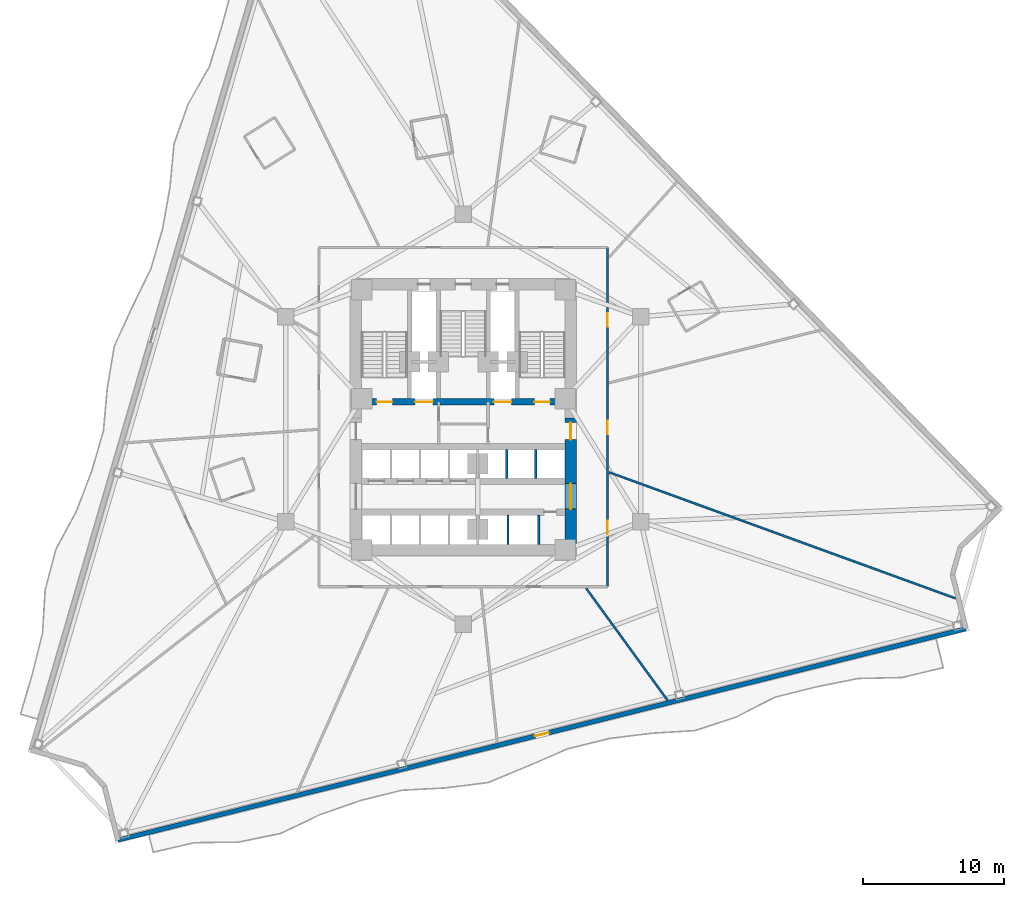
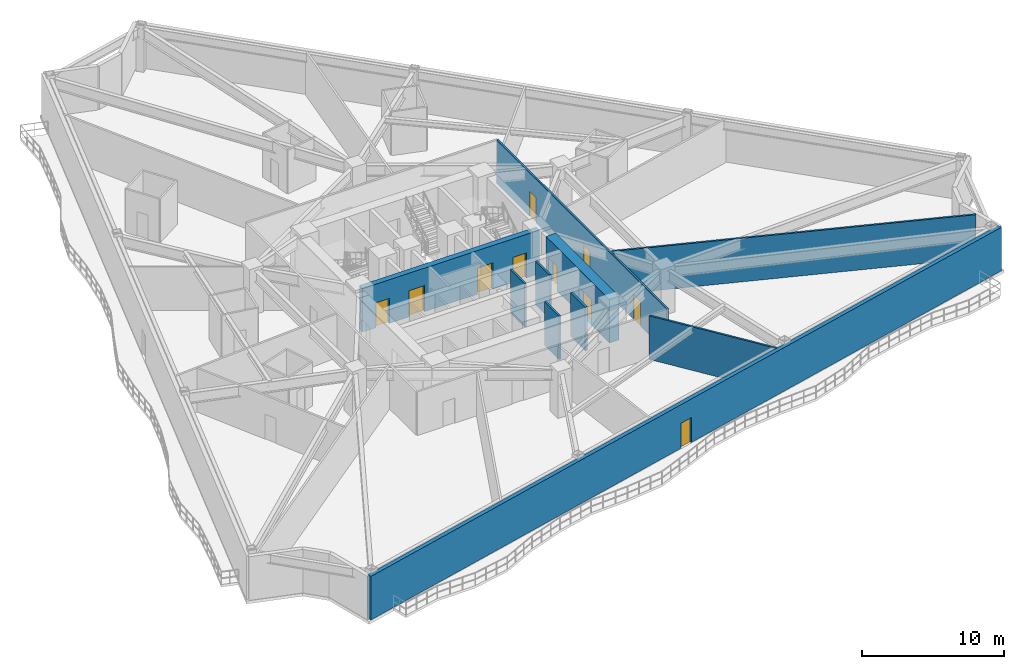
# One storey, part 4 of 9: 10 doors, 10 walls, 10 openings.
"""IFC4 building model written with IfcOpenShell, lengths in metres."""

from ifc_helpers import new_model, si_unit, direction, frame, frame_2d, origin, place, context, subcontext, project, spatial, rectangle, extrude, material, layer, layer_set, type_object, element, fill, save


model = new_model("IFC4")

# Units and contexts
model_context = context("Model", 3, precision=1e-05, world=origin(), true_north=direction((0.0, 1.0)))
body_context = subcontext(model_context, "Body", "Model", "MODEL_VIEW")
ifc_project = project(units=[si_unit("LENGTHUNIT", "METRE"), si_unit("AREAUNIT", "SQUARE_METRE"), si_unit("VOLUMEUNIT", "CUBIC_METRE"), si_unit("PLANEANGLEUNIT", "RADIAN"), si_unit("MASSUNIT", "GRAM", prefix="KILO")], contexts=[model_context])

# Site, building, storey
site_placement = place(None, origin())
site = spatial("IfcSite", under=ifc_project, at=site_placement, CompositionType="ELEMENT")
building_placement = place(site_placement, origin())
building = spatial("IfcBuilding", under=site, at=building_placement, Name="Apsidion Concourse Tower", CompositionType="ELEMENT")
storey_placement = place(building_placement, frame((0.0, 0.0, 119.0)))
storey = spatial("IfcBuildingStorey", under=building, at=storey_placement, Name="L27", CompositionType="ELEMENT", Elevation=119.0)

# Wall, opening, door
ifc_material_1 = material(Name="Precast concrete C40/50", Category="concrete")
ifc_layer_1 = layer(ifc_material_1, 0.320068359375)
ifc_layer_set_1 = layer_set([ifc_layer_1], Name="Precast concrete C40/50")
wall_type_1 = type_object("IfcWallType", Name="WL-EXT-320", PredefinedType="STANDARD", material=ifc_layer_set_1)
wall_1_placement = place(storey_placement, frame((35.546142578125, -14.818359375, 0.0), z_axis=(0.0, 0.0, 1.0), x_axis=(-0.970295883146, -0.241921266428, 0.0)))
wall_1 = element("IfcWall", 1, at=wall_1_placement, inside=storey, type_object=wall_type_1, Name="L27 Precast Stone Facade Wall 05", PredefinedType="STANDARD", context=body_context, shape_type="SweptSolid", body=[
    extrude(rectangle(XDim=61.810791015625, YDim=0.320068359375, at=frame_2d((30.9052734375, 0.0))), origin(), (0.0, 0.0, 1.0), 3.75),
])
opening_1_placement = place(wall_1_placement, frame((30.405517578125, 0.0, 0.0)))
opening_1 = element("IfcOpeningElement", 2, at=opening_1_placement, cuts=wall_1, Name="Opening D-T1L", PredefinedType="OPENING", context=body_context, shape_type="SweptSolid", body=[
    extrude(rectangle(XDim=1.0, YDim=2.14990234375, at=frame_2d((0.5, 1.074951171875))), frame((0.0, 0.169921875, 0.0), z_axis=(0.0, -1.0, 0.0), x_axis=(1.0, 0.0, 0.0)), (0.0, 0.0, 1.0), 0.340087890625),
])
ifc_material_2 = material(Name="Anodised aluminium EN AW-6063 T6", Category="aluminium")
door_type_1 = type_object("IfcDoorType", Name="DR-TER-1022L", OperationType="SINGLE_SWING_LEFT", PredefinedType="DOOR", material=ifc_material_2)
door_1_placement = place(opening_1_placement, origin())
door_1 = element("IfcDoor", 3, at=door_1_placement, inside=storey, type_object=door_type_1, Name="L27 Balcony Access Door 2", OperationType="SINGLE_SWING_LEFT", OverallHeight=2.14990234375, OverallWidth=1.0, PredefinedType="DOOR", context=body_context, shape_type="SweptSolid", body=[
    extrude(rectangle(XDim=1.0, YDim=2.14990234375, at=frame_2d((0.5, 1.074951171875))), frame((0.0, 0.02490234375, 0.0), z_axis=(0.0, -1.0, 0.0), x_axis=(1.0, 0.0, 0.0)), (0.0, 0.0, 1.0), 0.050048828125),
])
fill(opening_1, door_1)

# Walls
ifc_material_3 = material(Name="Gypsum plasterboard partition")
ifc_layer_2 = layer(ifc_material_3, 0.14990234375)
ifc_layer_set_2 = layer_set([ifc_layer_2], Name="Gypsum plasterboard partition")
wall_type_2 = type_object("IfcWallType", Name="WL-INT-PAR-150", PredefinedType="PARTITIONING", material=ifc_layer_set_2)
for number, where, z_axis, x_axis, name in (
    (4, (3.074951171875, -4.179931640625, 0.0), (0.0, 0.0, 1.0), (0.0, 1.0, 0.0), "L27 Interior Partition WL-L27-B3DIV-1"),
    (5, (5.125, -4.179931640625, 0.0), (0.0, 0.0, 1.0), (0.0, 1.0, 0.0), "L27 Interior Partition WL-L27-B3DIV-2"),
):
    element("IfcWall", number, at=place(storey_placement, frame(where, z_axis=z_axis, x_axis=x_axis)), inside=storey, type_object=wall_type_2, Name=name, PredefinedType="PARTITIONING", context=body_context, shape_type="SweptSolid", body=[
        extrude(rectangle(XDim=2.030029296875, YDim=0.14990234375, at=frame_2d((1.01513671875, 0.0))), origin(), (0.0, 0.0, 1.0), 3.75),
    ])
wall_2_placement = place(storey_placement, frame((3.175048828125, -8.85009765625, 0.0), z_axis=(0.0, 0.0, 1.0), x_axis=(0.0, 1.0, 0.0)))
element("IfcWall", 6, at=wall_2_placement, inside=storey, type_object=wall_type_2, Name="L27 Interior Partition WL-L27-SHDIV-1", PredefinedType="PARTITIONING", context=body_context, shape_type="SweptSolid", body=[
    extrude(rectangle(XDim=2.080078125, YDim=0.14990234375, at=frame_2d((1.0400390625, 0.0))), origin(), (0.0, 0.0, 1.0), 3.75),
])

# Wall, openings, doors
wall_3_placement = place(storey_placement, frame((10.199951171875, 12.14990234375, 0.0), z_axis=(0.0, 0.0, 1.0), x_axis=(0.0, -1.0, 0.0)))
wall_3 = element("IfcWall", 7, at=wall_3_placement, inside=storey, type_object=wall_type_2, Name="L27 Interior Partition WL-L27-CORR-02", PredefinedType="PARTITIONING", context=body_context, shape_type="SweptSolid", body=[
    extrude(rectangle(XDim=24.0, YDim=0.14990234375, at=frame_2d((12.0, 0.0))), origin(), (0.0, 0.0, 1.0), 3.75),
])
opening_2_placement = place(wall_3_placement, frame((19.3466796875, 0.0, 0.0)))
opening_2 = element("IfcOpeningElement", 8, at=opening_2_placement, cuts=wall_3, Name="Opening D-01L", PredefinedType="OPENING", context=body_context, shape_type="SweptSolid", body=[
    extrude(rectangle(XDim=0.949951171875, YDim=2.14990234375, at=frame_2d((0.47509765625, 1.074951171875))), frame((0.0, 0.0849609375, 0.0), z_axis=(0.0, -1.0, 0.0), x_axis=(1.0, 0.0, 0.0)), (0.0, 0.0, 1.0), 0.169921875),
])
opening_3_placement = place(wall_3_placement, frame((12.26416015625, 0.0, 0.0)))
opening_3 = element("IfcOpeningElement", 9, at=opening_3_placement, cuts=wall_3, Name="Opening D-01R", PredefinedType="OPENING", context=body_context, shape_type="SweptSolid", body=[
    extrude(rectangle(XDim=0.949951171875, YDim=2.14990234375, at=frame_2d((0.47509765625, 1.074951171875))), frame((0.0, 0.0849609375, 0.0), z_axis=(0.0, -1.0, 0.0), x_axis=(1.0, 0.0, 0.0)), (0.0, 0.0, 1.0), 0.169921875),
])
opening_4_placement = place(wall_3_placement, frame((4.65869140625, 0.0, 0.0)))
opening_4 = element("IfcOpeningElement", 10, at=opening_4_placement, cuts=wall_3, Name="Opening D-01L", PredefinedType="OPENING", context=body_context, shape_type="SweptSolid", body=[
    extrude(rectangle(XDim=0.949951171875, YDim=2.14990234375, at=frame_2d((0.47509765625, 1.074951171875))), frame((0.0, 0.0849609375, 0.0), z_axis=(0.0, -1.0, 0.0), x_axis=(1.0, 0.0, 0.0)), (0.0, 0.0, 1.0), 0.169921875),
])
ifc_material_4 = material(Name="Brushed stainless steel 316", Category="steel")
door_type_2 = type_object("IfcDoorType", Name="DR-INT-D01L", OperationType="SINGLE_SWING_LEFT", PredefinedType="DOOR", material=ifc_material_4)
door_2_placement = place(opening_2_placement, origin())
door_2 = element("IfcDoor", 11, at=door_2_placement, inside=storey, type_object=door_type_2, Name="L27 Corridor Entry Door 05", OperationType="SINGLE_SWING_LEFT", OverallHeight=2.14990234375, OverallWidth=0.949951171875, PredefinedType="DOOR", context=body_context, shape_type="SweptSolid", body=[
    extrude(rectangle(XDim=0.949951171875, YDim=2.14990234375, at=frame_2d((0.47509765625, 1.074951171875))), frame((0.0, 0.02490234375, 0.0), z_axis=(0.0, -1.0, 0.0), x_axis=(1.0, 0.0, 0.0)), (0.0, 0.0, 1.0), 0.050048828125),
])
fill(opening_2, door_2)
door_3_placement = place(opening_4_placement, origin())
door_3 = element("IfcDoor", 12, at=door_3_placement, inside=storey, type_object=door_type_2, Name="L27 Corridor Entry Door 07", OperationType="SINGLE_SWING_LEFT", OverallHeight=2.14990234375, OverallWidth=0.949951171875, PredefinedType="DOOR", context=body_context, shape_type="SweptSolid", body=[
    extrude(rectangle(XDim=0.949951171875, YDim=2.14990234375, at=frame_2d((0.47509765625, 1.074951171875))), frame((0.0, 0.02490234375, 0.0), z_axis=(0.0, -1.0, 0.0), x_axis=(1.0, 0.0, 0.0)), (0.0, 0.0, 1.0), 0.050048828125),
])
fill(opening_4, door_3)
door_type_3 = type_object("IfcDoorType", Name="DR-INT-D01R", OperationType="SINGLE_SWING_RIGHT", PredefinedType="DOOR", material=ifc_material_4)
door_4_placement = place(opening_3_placement, origin())
door_4 = element("IfcDoor", 13, at=door_4_placement, inside=storey, type_object=door_type_3, Name="L27 Corridor Entry Door 06", OperationType="SINGLE_SWING_RIGHT", OverallHeight=2.14990234375, OverallWidth=0.949951171875, PredefinedType="DOOR", context=body_context, shape_type="SweptSolid", body=[
    extrude(rectangle(XDim=0.949951171875, YDim=2.14990234375, at=frame_2d((0.47509765625, 1.074951171875))), frame((0.0, 0.02490234375, 0.0), z_axis=(0.0, -1.0, 0.0), x_axis=(1.0, 0.0, 0.0)), (0.0, 0.0, 1.0), 0.050048828125),
])
fill(opening_3, door_4)

# Walls
wall_4_placement = place(storey_placement, frame((8.685791015625, -11.955078125, 0.0), z_axis=(0.0, 0.0, 1.0), x_axis=(0.587785653543, -0.809016702849, 0.0)))
element("IfcWall", 14, at=wall_4_placement, inside=storey, type_object=wall_type_2, Name="L27 Interior Partition WL-L27-RAD-10-1", PredefinedType="PARTITIONING", context=body_context, shape_type="SweptSolid", body=[
    extrude(rectangle(XDim=9.816162109375, YDim=0.14990234375, at=frame_2d((4.908203125, 0.0))), origin(), (0.0, 0.0, 1.0), 3.75),
])
wall_5_placement = place(storey_placement, frame((10.304931640625, -3.750732421875, 0.0), z_axis=(0.0, 0.0, 1.0), x_axis=(0.939694249069, -0.342015669622, 0.0)))
element("IfcWall", 15, at=wall_5_placement, inside=storey, type_object=wall_type_2, Name="L27 Interior Partition WL-L27-RAD-11-1", PredefinedType="PARTITIONING", context=body_context, shape_type="SweptSolid", body=[
    extrude(rectangle(XDim=26.10107421875, YDim=0.14990234375, at=frame_2d((13.050537109375, 0.0))), origin(), (0.0, 0.0, 1.0), 3.75),
])
ifc_layer_3 = layer(ifc_material_3, 0.179931640625)
ifc_layer_set_3 = layer_set([ifc_layer_3], Name="Gypsum plasterboard partition")
wall_type_3 = type_object("IfcWallType", Name="WL-INT-PAR-180", PredefinedType="PARTITIONING", material=ifc_layer_set_3)
wall_6_placement = place(storey_placement, frame((5.324951171875, -8.85009765625, 0.0), z_axis=(0.0, 0.0, 1.0), x_axis=(0.0, 1.0, 0.0)))
element("IfcWall", 16, at=wall_6_placement, inside=storey, type_object=wall_type_3, Name="L27 Interior Partition WL-L27-SHDIV-2", PredefinedType="PARTITIONING", context=body_context, shape_type="SweptSolid", body=[
    extrude(rectangle(XDim=2.080078125, YDim=0.179931640625, at=frame_2d((1.0400390625, 0.0))), origin(), (0.0, 0.0, 1.0), 3.75),
])

# Wall, openings, doors
ifc_material_5 = material(Name="Concrete C60/75", Category="concrete")
ifc_layer_4 = layer(ifc_material_5, 0.449951171875)
ifc_layer_set_4 = layer_set([ifc_layer_4], Name="Concrete C60/75")
wall_type_4 = type_object("IfcWallType", Name="WL-SH-450", PredefinedType="SHEAR", material=ifc_layer_set_4)
wall_7_placement = place(storey_placement, frame((-7.199951171875, 1.22509765625, 0.0), z_axis=(0.0, 0.0, 1.0), x_axis=(1.0, 0.0, 0.0)))
wall_7 = element("IfcWall", 17, at=wall_7_placement, inside=storey, type_object=wall_type_4, Name="L27 Central Core Shear Wall M1", PredefinedType="SHEAR", context=body_context, shape_type="SweptSolid", body=[
    extrude(rectangle(XDim=14.39990234375, YDim=0.449951171875, at=frame_2d((7.199951171875, 0.0))), origin(), (0.0, 0.0, 1.0), 3.75),
])
opening_5_placement = place(wall_7_placement, frame((3.794921875, 0.0, 0.0)))
opening_5 = element("IfcOpeningElement", 18, at=opening_5_placement, cuts=wall_7, Name="Opening LD-FF", PredefinedType="OPENING", context=body_context, shape_type="SweptSolid", body=[
    extrude(rectangle(XDim=1.25, YDim=2.25, at=frame_2d((0.625, 1.125))), frame((0.0, 0.23486328125, 0.0), z_axis=(0.0, -1.0, 0.0), x_axis=(1.0, 0.0, 0.0)), (0.0, 0.0, 1.0), 0.469970703125),
])
opening_6_placement = place(wall_7_placement, frame((9.35498046875, 0.0, 0.0)))
opening_6 = element("IfcOpeningElement", 19, at=opening_6_placement, cuts=wall_7, Name="Opening LD-FF", PredefinedType="OPENING", context=body_context, shape_type="SweptSolid", body=[
    extrude(rectangle(XDim=1.25, YDim=2.25, at=frame_2d((0.625, 1.125))), frame((0.0, 0.23486328125, 0.0), z_axis=(0.0, -1.0, 0.0), x_axis=(1.0, 0.0, 0.0)), (0.0, 0.0, 1.0), 0.469970703125),
])
opening_7_placement = place(wall_7_placement, frame((1.074951171875, 0.0, 0.0)))
opening_7 = element("IfcOpeningElement", 20, at=opening_7_placement, cuts=wall_7, Name="Opening D-STL", PredefinedType="OPENING", context=body_context, shape_type="SweptSolid", body=[
    extrude(rectangle(XDim=1.10009765625, YDim=2.14990234375, at=frame_2d((0.550048828125, 1.074951171875))), frame((0.0, 0.23486328125, 0.0), z_axis=(0.0, -1.0, 0.0), x_axis=(1.0, 0.0, 0.0)), (0.0, 0.0, 1.0), 0.469970703125),
])
opening_8_placement = place(wall_7_placement, frame((12.22509765625, 0.0, 0.0)))
opening_8 = element("IfcOpeningElement", 21, at=opening_8_placement, cuts=wall_7, Name="Opening D-STR", PredefinedType="OPENING", context=body_context, shape_type="SweptSolid", body=[
    extrude(rectangle(XDim=1.10009765625, YDim=2.14990234375, at=frame_2d((0.550048828125, 1.074951171875))), frame((0.0, 0.23486328125, 0.0), z_axis=(0.0, -1.0, 0.0), x_axis=(1.0, 0.0, 0.0)), (0.0, 0.0, 1.0), 0.469970703125),
])
door_type_4 = type_object("IfcDoorType", Name="DR-INT-ST1L", OperationType="SINGLE_SWING_LEFT", PredefinedType="DOOR", material=ifc_material_4)
door_5_placement = place(opening_7_placement, origin())
door_5 = element("IfcDoor", 22, at=door_5_placement, inside=storey, type_object=door_type_4, Name="L27 Core Exit Stair ST1 Door", OperationType="SINGLE_SWING_LEFT", OverallHeight=2.14990234375, OverallWidth=1.10009765625, PredefinedType="DOOR", context=body_context, shape_type="SweptSolid", body=[
    extrude(rectangle(XDim=1.10009765625, YDim=2.14990234375, at=frame_2d((0.550048828125, 1.074951171875))), frame((0.0, 0.02490234375, 0.0), z_axis=(0.0, -1.0, 0.0), x_axis=(1.0, 0.0, 0.0)), (0.0, 0.0, 1.0), 0.050048828125),
])
fill(opening_7, door_5)
door_type_5 = type_object("IfcDoorType", Name="DR-INT-ST1R", OperationType="SINGLE_SWING_RIGHT", PredefinedType="DOOR", material=ifc_material_4)
door_6_placement = place(opening_8_placement, origin())
door_6 = element("IfcDoor", 23, at=door_6_placement, inside=storey, type_object=door_type_5, Name="L27 Core Exit Stair ST2 Door", OperationType="SINGLE_SWING_RIGHT", OverallHeight=2.14990234375, OverallWidth=1.10009765625, PredefinedType="DOOR", context=body_context, shape_type="SweptSolid", body=[
    extrude(rectangle(XDim=1.10009765625, YDim=2.14990234375, at=frame_2d((0.550048828125, 1.074951171875))), frame((0.0, 0.02490234375, 0.0), z_axis=(0.0, -1.0, 0.0), x_axis=(1.0, 0.0, 0.0)), (0.0, 0.0, 1.0), 0.050048828125),
])
fill(opening_8, door_6)
door_type_6 = type_object("IfcDoorType", Name="DR-LD-FSAE", OperationType="DOUBLE_DOOR_SLIDING", PredefinedType="DOOR", material=ifc_material_4)
door_7_placement = place(opening_5_placement, origin())
door_7 = element("IfcDoor", 24, at=door_7_placement, inside=storey, type_object=door_type_6, Name="L27 Lift Landing Door FF1", OperationType="DOUBLE_DOOR_SLIDING", OverallHeight=2.25, OverallWidth=1.25, PredefinedType="DOOR", context=body_context, shape_type="SweptSolid", body=[
    extrude(rectangle(XDim=1.25, YDim=2.25, at=frame_2d((0.625, 1.125))), frame((0.0, 0.02490234375, 0.0), z_axis=(0.0, -1.0, 0.0), x_axis=(1.0, 0.0, 0.0)), (0.0, 0.0, 1.0), 0.050048828125),
])
fill(opening_5, door_7)
door_8_placement = place(opening_6_placement, origin())
door_8 = element("IfcDoor", 25, at=door_8_placement, inside=storey, type_object=door_type_6, Name="L27 Lift Landing Door FF2", OperationType="DOUBLE_DOOR_SLIDING", OverallHeight=2.25, OverallWidth=1.25, PredefinedType="DOOR", context=body_context, shape_type="SweptSolid", body=[
    extrude(rectangle(XDim=1.25, YDim=2.25, at=frame_2d((0.625, 1.125))), frame((0.0, 0.02490234375, 0.0), z_axis=(0.0, -1.0, 0.0), x_axis=(1.0, 0.0, 0.0)), (0.0, 0.0, 1.0), 0.050048828125),
])
fill(opening_6, door_8)

ifc_layer_5 = layer(ifc_material_5, 0.800048828125)
ifc_layer_set_5 = layer_set([ifc_layer_5], Name="Concrete C60/75")
wall_type_5 = type_object("IfcWallType", Name="WL-SH-800", PredefinedType="SHEAR", material=ifc_layer_set_5)
wall_8_placement = place(storey_placement, frame((7.60009765625, -8.85009765625, 0.0), z_axis=(0.0, 0.0, 1.0), x_axis=(0.0, 1.0, 0.0)))
wall_8 = element("IfcWall", 26, at=wall_8_placement, inside=storey, type_object=wall_type_5, Name="L27 Central Core Shear Wall ES", PredefinedType="SHEAR", context=body_context, shape_type="SweptSolid", body=[
    extrude(rectangle(XDim=8.9501953125, YDim=0.800048828125, at=frame_2d((4.47509765625, 0.0))), origin(), (0.0, 0.0, 1.0), 3.75),
])
opening_9_placement = place(wall_8_placement, frame((2.489990234375, 0.0, 0.0)))
opening_9 = element("IfcOpeningElement", 27, at=opening_9_placement, cuts=wall_8, Name="Opening D-06D", PredefinedType="OPENING", context=body_context, shape_type="SweptSolid", body=[
    extrude(rectangle(XDim=1.800048828125, YDim=2.199951171875, at=frame_2d((0.89990234375, 1.10009765625))), frame((0.0, 0.41015625, 0.0), z_axis=(0.0, -1.0, 0.0), x_axis=(1.0, 0.0, 0.0)), (0.0, 0.0, 1.0), 0.820068359375),
])
opening_10_placement = place(wall_8_placement, frame((7.39990234375, 0.0, 0.0)))
opening_10 = element("IfcOpeningElement", 28, at=opening_10_placement, cuts=wall_8, Name="Opening D-FFR", PredefinedType="OPENING", context=body_context, shape_type="SweptSolid", body=[
    extrude(rectangle(XDim=1.199951171875, YDim=2.14990234375, at=frame_2d((0.60009765625, 1.074951171875))), frame((0.0, 0.41015625, 0.0), z_axis=(0.0, -1.0, 0.0), x_axis=(1.0, 0.0, 0.0)), (0.0, 0.0, 1.0), 0.820068359375),
])
door_type_7 = type_object("IfcDoorType", Name="DR-INT-D06D", OperationType="DOUBLE_DOOR_SINGLE_SWING", PredefinedType="DOOR", material=ifc_material_4)
door_9_placement = place(opening_9_placement, origin())
door_9 = element("IfcDoor", 29, at=door_9_placement, inside=storey, type_object=door_type_7, Name="L27 Passenger Lift Lobby ES Portal Door", OperationType="DOUBLE_DOOR_SINGLE_SWING", OverallHeight=2.199951171875, OverallWidth=1.800048828125, PredefinedType="DOOR", context=body_context, shape_type="SweptSolid", body=[
    extrude(rectangle(XDim=1.800048828125, YDim=2.199951171875, at=frame_2d((0.89990234375, 1.10009765625))), frame((0.0, 0.02490234375, 0.0), z_axis=(0.0, -1.0, 0.0), x_axis=(1.0, 0.0, 0.0)), (0.0, 0.0, 1.0), 0.050048828125),
])
fill(opening_9, door_9)
door_type_8 = type_object("IfcDoorType", Name="DR-INT-FFR", OperationType="SINGLE_SWING_RIGHT", PredefinedType="DOOR", material=ifc_material_4)
door_10_placement = place(opening_10_placement, origin())
door_10 = element("IfcDoor", 30, at=door_10_placement, inside=storey, type_object=door_type_8, Name="L27 Firefighting Lift Lobby FF2 Door", OperationType="SINGLE_SWING_RIGHT", OverallHeight=2.14990234375, OverallWidth=1.199951171875, PredefinedType="DOOR", context=body_context, shape_type="SweptSolid", body=[
    extrude(rectangle(XDim=1.199951171875, YDim=2.14990234375, at=frame_2d((0.60009765625, 1.074951171875))), frame((0.0, 0.02490234375, 0.0), z_axis=(0.0, -1.0, 0.0), x_axis=(1.0, 0.0, 0.0)), (0.0, 0.0, 1.0), 0.050048828125),
])
fill(opening_10, door_10)

save(model, "model.ifc")
